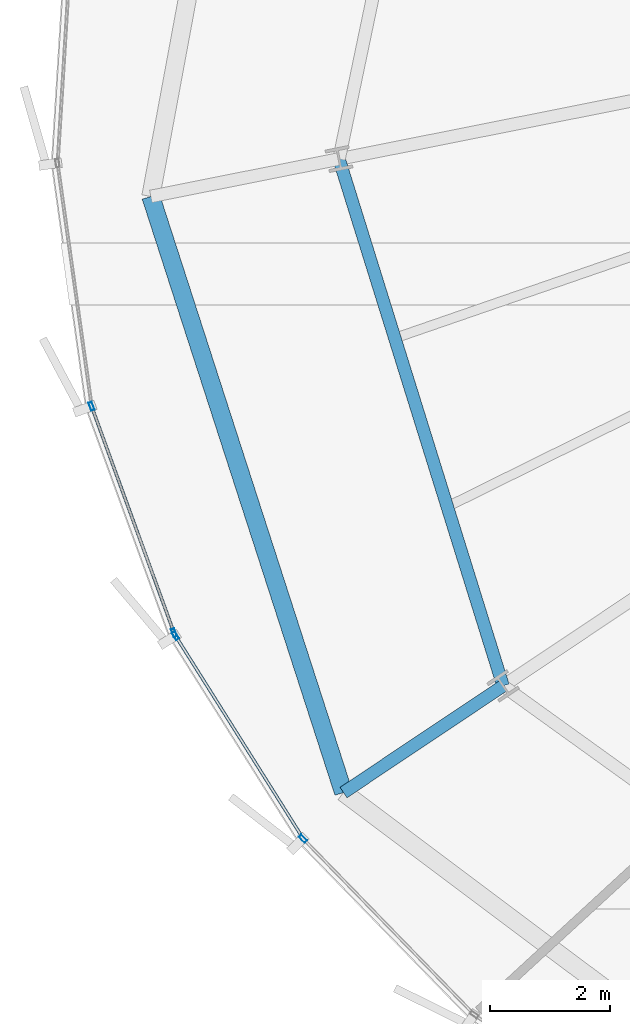
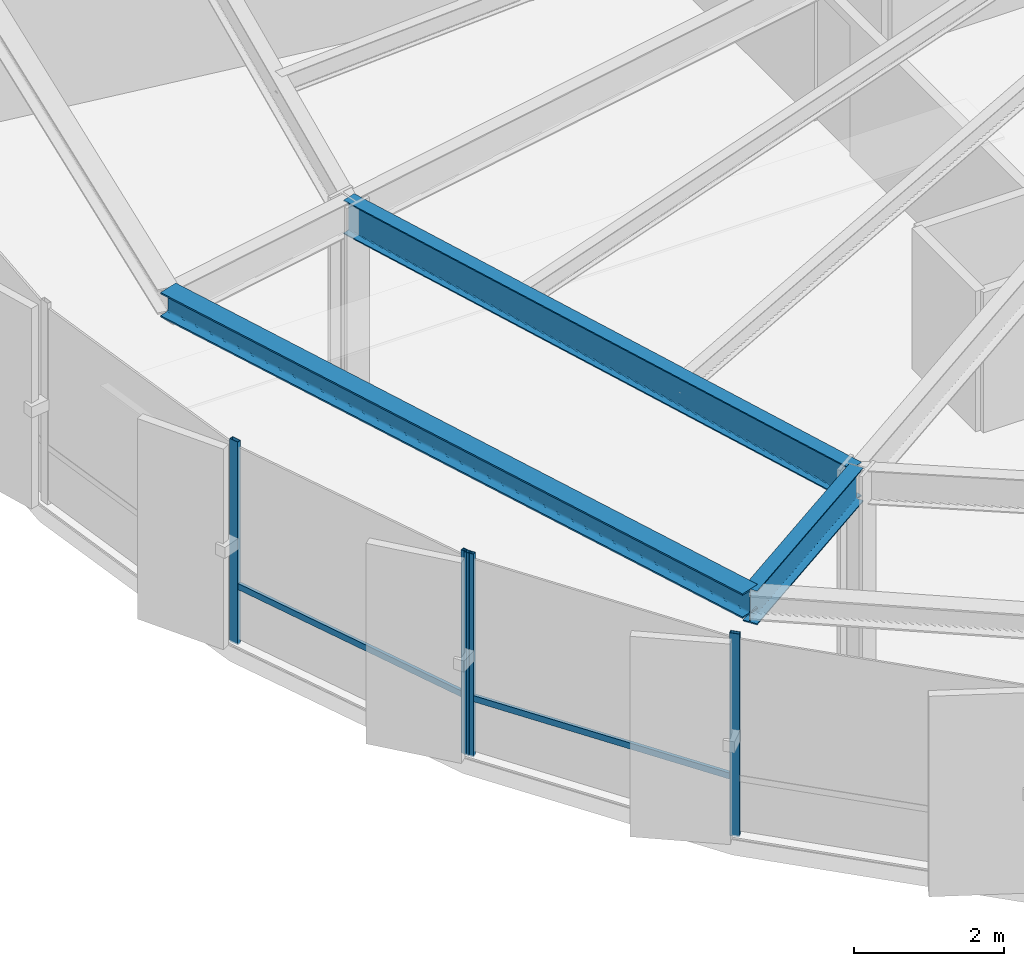
# One storey, part 3 of 35: 6 members, 3 beams, 2 elements without a shape of their own.
"""IFC4 building model written with IfcOpenShell, lengths in metres."""

import ifcopenshell
import ifcopenshell.guid

model = None  # the IFC model being written
_history = None  # IfcOwnerHistory: only IFC2X3 demands one
_inside = {}  # id of a spatial element -> (the spatial element, [elements in it])
_under = {}  # id of a project, library or spatial element -> (it, [spatial elements below it])
_declared = {}  # id of a project -> (the project, [libraries it declares])
_typed = {}  # id of a type object -> (the type object, [elements of that type])
_made_of = {}  # id of a material, layer set ... -> (it, [elements and type objects made of it])


def new_model(schema):
    """Start an empty IFC model of exactly this schema.

    Asked for "IFC4X3", IfcOpenShell would pick the latest addendum, in which some entities
    have other attributes; the version numbers below select the first issue.
    IFC2X3 requires an IfcOwnerHistory on every rooted entity: one is made here for all.
    """
    global model, _history
    if schema == "IFC4X3":
        model = ifcopenshell.file(schema_version=(4, 3, 0, 0))
    else:
        model = ifcopenshell.file(schema=schema)
    _inside.clear()
    _under.clear()
    _declared.clear()
    _typed.clear()
    _made_of.clear()
    _history = None
    if model.schema == "IFC2X3":
        org = make("IfcOrganization", Name="unknown")
        user = make(
            "IfcPersonAndOrganization",
            ThePerson=make("IfcPerson", FamilyName="unknown"),
            TheOrganization=org,
        )
        app = make(
            "IfcApplication",
            ApplicationDeveloper=org,
            Version="unknown",
            ApplicationFullName="unknown",
            ApplicationIdentifier="unknown",
        )
        _history = make(
            "IfcOwnerHistory",
            OwningUser=user,
            OwningApplication=app,
            ChangeAction="ADDED",
            CreationDate=0,
        )
    return model


def make(cls, **values):
    """One entity of the class cls with the attributes given. An attribute that is None is left unset."""
    return model.create_entity(
        cls, **{name: value for name, value in values.items() if value is not None}
    )


def rooted(cls, **values):
    """An entity with a GlobalId (a new one), such as an element, a storey or a relation."""
    return make(cls, GlobalId=ifcopenshell.guid.new(), OwnerHistory=_history, **values)


def si_unit(unit_type, name, prefix=None):
    """IfcSIUnit, for example si_unit("LENGTHUNIT", "METRE", prefix="MILLI")."""
    return make("IfcSIUnit", UnitType=unit_type, Prefix=prefix, Name=name)


def assignment(units):
    """IfcUnitAssignment: the units of a project."""
    return None if units is None else make("IfcUnitAssignment", Units=units)


def point(xyz):
    """IfcCartesianPoint."""
    return None if xyz is None else make("IfcCartesianPoint", Coordinates=xyz)


def direction(xyz):
    """IfcDirection."""
    return None if xyz is None else make("IfcDirection", DirectionRatios=xyz)


def frame(location, z_axis=None, x_axis=None):
    """IfcAxis2Placement3D, a coordinate frame: its origin and axes. An axis left out is left unset."""
    return make(
        "IfcAxis2Placement3D",
        Location=point(location),
        Axis=direction(z_axis),
        RefDirection=direction(x_axis),
    )


def frame_2d(location, x_axis=None):
    """IfcAxis2Placement2D, a coordinate frame in the plane: its origin and x axis."""
    return make(
        "IfcAxis2Placement2D", Location=point(location), RefDirection=direction(x_axis)
    )


def origin():
    """The frame at (0, 0, 0) with its axes left unset."""
    return frame((0.0, 0.0, 0.0))


def origin_2d():
    """The frame at (0, 0) in the plane with its x axis left unset."""
    return frame_2d((0.0, 0.0))


def place(relative_to, where):
    """IfcLocalPlacement: puts the frame where relative to a parent placement (None: the world)."""
    return make(
        "IfcLocalPlacement", PlacementRelTo=relative_to, RelativePlacement=where
    )


def context(
    kind, dimensions, precision=None, world=None, true_north=None, identifier=None
):
    """IfcGeometricRepresentationContext, for example the 3D "Model" context."""
    return make(
        "IfcGeometricRepresentationContext",
        ContextIdentifier=identifier,
        ContextType=kind,
        CoordinateSpaceDimension=dimensions,
        Precision=precision,
        WorldCoordinateSystem=world,
        TrueNorth=true_north,
    )


def subcontext(parent, identifier, kind, view, scale=None):
    """IfcGeometricRepresentationSubContext, for example "Body" below "Model"."""
    return make(
        "IfcGeometricRepresentationSubContext",
        ContextIdentifier=identifier,
        ContextType=kind,
        ParentContext=parent,
        TargetScale=scale,
        TargetView=view,
    )


def project(units=None, contexts=None):
    """IfcProject with its units and contexts."""
    return rooted(
        "IfcProject",
        Name="project",
        RepresentationContexts=contexts,
        UnitsInContext=assignment(units),
    )


def spatial(cls, under=None, at=None, **own):
    """A site, building, storey or space (cls), placed at a placement, below another one or the project."""
    s = rooted(cls, ObjectPlacement=at, **own)
    if under is not None:
        _under.setdefault(under.id(), (under, []))[1].append(s)
    return s


def profile(cls, at=None, kind="AREA", **sizes):
    """A parametric profile (cls). Its sizes go by their IFC names, for example OverallWidth=200.0."""
    return make(cls, ProfileType=kind, Position=at, **sizes)


def hollow_rectangle(**sizes):
    """IfcRectangleHollowProfileDef."""
    return profile("IfcRectangleHollowProfileDef", **sizes)


def i_section(**sizes):
    """IfcIShapeProfileDef."""
    return profile("IfcIShapeProfileDef", **sizes)


def extrude(swept, where, along, depth):
    """IfcExtrudedAreaSolid: the profile swept, set in the frame where, extruded along a direction by depth."""
    return make(
        "IfcExtrudedAreaSolid",
        SweptArea=swept,
        Position=where,
        ExtrudedDirection=direction(along),
        Depth=depth,
    )


def shape(context_of_items, identifier, shape_type, items):
    """IfcShapeRepresentation: the items that make up one representation, for example the "Body"."""
    return make(
        "IfcShapeRepresentation",
        ContextOfItems=context_of_items,
        RepresentationIdentifier=identifier,
        RepresentationType=shape_type,
        Items=items,
    )


def source(mapping_origin, context_of_items, identifier, shape_type, items):
    """IfcRepresentationMap: a shape defined once, which mapped items show again and again."""
    return make(
        "IfcRepresentationMap",
        MappingOrigin=mapping_origin,
        MappedRepresentation=shape(context_of_items, identifier, shape_type, items),
    )


def transform(
    local_origin,
    x_axis=None,
    y_axis=None,
    z_axis=None,
    scale=None,
    scale2=None,
    scale3=None,
    uniform=True,
):
    """IfcCartesianTransformationOperator3D, or its non-uniform kind. x_axis, y_axis, z_axis: its Axis1, 2, 3."""
    if uniform:
        return make(
            "IfcCartesianTransformationOperator3D",
            Axis1=direction(x_axis),
            Axis2=direction(y_axis),
            LocalOrigin=point(local_origin),
            Scale=scale,
            Axis3=direction(z_axis),
        )
    return make(
        "IfcCartesianTransformationOperator3DnonUniform",
        Axis1=direction(x_axis),
        Axis2=direction(y_axis),
        LocalOrigin=point(local_origin),
        Scale=scale,
        Axis3=direction(z_axis),
        Scale2=scale2,
        Scale3=scale3,
    )


def mapped(mapping_source, mapping_target):
    """IfcMappedItem: shows the shape of a source again, moved by a transform."""
    return make(
        "IfcMappedItem", MappingSource=mapping_source, MappingTarget=mapping_target
    )


def material(Name=None, Category=None):
    """IfcMaterial."""
    return make("IfcMaterial", Name=Name, Category=Category)


def layer(
    of_material, thickness, ventilated=None, Name=None, Category=None, Priority=None
):
    """IfcMaterialLayer: one layer of a wall or slab, of a material (None: an air gap)."""
    return make(
        "IfcMaterialLayer",
        Material=of_material,
        LayerThickness=thickness,
        IsVentilated=ventilated,
        Name=Name,
        Category=Category,
        Priority=Priority,
    )


def layer_set(layers, Name=None):
    """IfcMaterialLayerSet."""
    return make("IfcMaterialLayerSet", MaterialLayers=layers, LayerSetName=Name)


def material_profile(
    of_material, cross_section, Name=None, Category=None, Priority=None
):
    """IfcMaterialProfile: a cross section and its material."""
    return make(
        "IfcMaterialProfile",
        Name=Name,
        Material=of_material,
        Profile=cross_section,
        Priority=Priority,
        Category=Category,
    )


def profile_set(profiles, Name=None, composite=None):
    """IfcMaterialProfileSet."""
    return make(
        "IfcMaterialProfileSet",
        Name=Name,
        MaterialProfiles=profiles,
        CompositeProfile=composite,
    )


def made_of(thing, what):
    """Note that an element or type object is made of a material, layer set ...; save() writes the relation."""
    if what is not None:
        _made_of.setdefault(what.id(), (what, []))[1].append(thing)
    return thing


def type_object(cls, material=None, **own):
    """A type object (cls), such as IfcWallType, which elements share."""
    return made_of(rooted(cls, **own), material)


def element(
    cls,
    number,
    at=None,
    inside=None,
    cuts=None,
    type_object=None,
    material=None,
    context=None,
    identifier="Body",
    shape_type=None,
    held_by="IfcProductDefinitionShape",
    body=None,
    shapes=None,
    **own,
):
    """One element of the class cls, such as IfcWall. Its Tag is "e" and its number.

    at: its placement. inside: the storey or other place that contains it. cuts: it is an
    opening in that element (IfcRelVoidsElement). A single representation is given by context,
    identifier, shape_type and body (its items); several are given by shapes. held_by: the class
    of the entity that holds the representations. save() writes the other relations.
    """
    e = rooted(cls, Tag="e%d" % number, ObjectPlacement=at, **own)
    if body is not None:
        shapes = [shape(context, identifier, shape_type, body)]
    if shapes is not None:
        e.Representation = make(held_by, Representations=shapes)
    if inside is not None:
        _inside.setdefault(inside.id(), (inside, []))[1].append(e)
    if cuts is not None:
        rooted(
            "IfcRelVoidsElement", RelatingBuildingElement=cuts, RelatedOpeningElement=e
        )
    if type_object is not None:
        _typed.setdefault(type_object.id(), (type_object, []))[1].append(e)
    return made_of(e, material)


def aggregate(whole, parts):
    """IfcRelAggregates: a whole, such as a stair, and the parts it consists of."""
    return rooted("IfcRelAggregates", RelatingObject=whole, RelatedObjects=parts)


def save(model, path):
    """Write the relations noted so far, then the file.

    IfcRelAggregates (storeys below a building ...), IfcRelContainedInSpatialStructure (elements
    in a storey), IfcRelDefinesByType, IfcRelAssociatesMaterial and IfcRelDeclares: one each for
    every whole, place, type object, material and project.
    """
    for whole, parts in _under.values():
        aggregate(whole, parts)
    for where, things in _inside.values():
        rooted(
            "IfcRelContainedInSpatialStructure",
            RelatedElements=things,
            RelatingStructure=where,
        )
    for kind, things in _typed.values():
        rooted("IfcRelDefinesByType", RelatedObjects=things, RelatingType=kind)
    for what, things in _made_of.values():
        rooted("IfcRelAssociatesMaterial", RelatedObjects=things, RelatingMaterial=what)
    for by, libraries in _declared.values():
        rooted("IfcRelDeclares", RelatingContext=by, RelatedDefinitions=libraries)
    model.write(path)


model = new_model("IFC4")

# Units and contexts
model_context = context("Model", 3, precision=1e-05, world=origin(), true_north=direction((0.0, 1.0)))
body_context = subcontext(model_context, "Body", "Model", "MODEL_VIEW")
ifc_project = project(units=[si_unit("LENGTHUNIT", "METRE"), si_unit("AREAUNIT", "SQUARE_METRE"), si_unit("VOLUMEUNIT", "CUBIC_METRE"), si_unit("PLANEANGLEUNIT", "RADIAN"), si_unit("MASSUNIT", "GRAM", prefix="KILO"), si_unit("THERMODYNAMICTEMPERATUREUNIT", "KELVIN")], contexts=[model_context])

# Site, building, storey
site_placement = place(None, origin())
site = spatial("IfcSite", under=ifc_project, at=site_placement, CompositionType="ELEMENT")
building_placement = place(site_placement, origin())
building = spatial("IfcBuilding", under=site, at=building_placement, Name="Kethvar Cultural Tower", CompositionType="ELEMENT")
storey_placement = place(building_placement, frame((0.0, 0.0, 139.449951171875)))
storey = spatial("IfcBuildingStorey", under=building, at=storey_placement, Name="L35", CompositionType="ELEMENT", Elevation=139.449951171875)

# Beams
ifc_material_1 = material(Name="Steel S355J2", Category="steel")
ifc_material_profile_1 = material_profile(ifc_material_1, i_section(OverallWidth=0.2099609375, OverallDepth=0.550048828125, WebThickness=0.010986328125, FlangeThickness=0.01708984375, FilletRadius=0.02392578125, at=origin_2d()), Name="Steel S355J2 — IPE550")
ifc_profile_set_1 = profile_set([ifc_material_profile_1], Name="Steel S355J2 — IPE550")
beam_type_1 = type_object("IfcBeamType", Name="BM-IPE550", PredefinedType="BEAM", material=ifc_profile_set_1)
shared_shape_1 = source(origin(), body_context, "Body", "SweptSolid", [
    extrude(i_section(OverallWidth=0.2099609375, OverallDepth=0.550048828125, WebThickness=0.010986328125, FlangeThickness=0.01708984375, FilletRadius=0.02392578125, at=origin_2d()), origin(), (0.0, 0.0, 1.0), 3.199951171875),
])
beam_1_placement = place(storey_placement, frame((26.920654296875, 14.51708984375, 3.02294921875), z_axis=(-0.831462943996, -0.555580212716, 0.0), x_axis=(0.555580212716, -0.831462943996, 0.0)))
element("IfcBeam", 1, at=beam_1_placement, inside=storey, type_object=beam_type_1, Name="L35 Perimeter Cantilever Beam RC-10", PredefinedType="BEAM", context=body_context, shape_type="MappedRepresentation", body=[
    mapped(shared_shape_1, transform((0.0, 0.0, 0.0), scale=1.0)),
])
shared_shape_2 = source(origin(), body_context, "Body", "SweptSolid", [
    extrude(i_section(OverallWidth=0.2099609375, OverallDepth=0.550048828125, WebThickness=0.010986328125, FlangeThickness=0.01708984375, FilletRadius=0.02392578125, at=origin_2d()), origin(), (0.0, 0.0, 1.0), 9.20068359375),
])
beam_2_placement = place(storey_placement, frame((24.185302734375, 23.3017578125, 3.02294921875), z_axis=(0.297298800285, -0.954784490526, 0.0), x_axis=(0.954784490526, 0.297298800285, 0.0)))
element("IfcBeam", 2, at=beam_2_placement, inside=storey, type_object=beam_type_1, Name="L35 Column Ring Tie Beam CR-09", PredefinedType="BEAM", context=body_context, shape_type="MappedRepresentation", body=[
    mapped(shared_shape_2, transform((0.0, 0.0, 0.0), scale=1.0)),
])
ifc_material_profile_2 = material_profile(ifc_material_1, i_section(OverallWidth=0.300048828125, OverallDepth=0.39990234375, WebThickness=0.013427734375, FlangeThickness=0.02392578125, FilletRadius=0.027099609375, at=origin_2d()), Name="Steel S355J2 — HEB400")
ifc_profile_set_2 = profile_set([ifc_material_profile_2], Name="Steel S355J2 — HEB400")
beam_type_2 = type_object("IfcBeamType", Name="BM-SP400", PredefinedType="SPANDREL", material=ifc_profile_set_2)
shared_shape_3 = source(origin(), body_context, "Body", "SweptSolid", [
    extrude(i_section(OverallWidth=0.300048828125, OverallDepth=0.39990234375, WebThickness=0.013427734375, FlangeThickness=0.02392578125, FilletRadius=0.027099609375, at=origin_2d()), origin(), (0.0, 0.0, 1.0), 10.44482421875),
])
beam_3_placement = place(storey_placement, frame((21.046875, 22.677490234375, 3.09814453125), z_axis=(0.307631709258, -0.951505507845, 0.0), x_axis=(0.951505507845, 0.307631709258, 0.0)))
element("IfcBeam", 3, at=beam_3_placement, inside=storey, type_object=beam_type_2, Name="L35 Perimeter Spandrel Beam SP-09", PredefinedType="SPANDREL", context=body_context, shape_type="MappedRepresentation", body=[
    mapped(shared_shape_3, transform((0.0, 0.0, 0.0), scale=1.0)),
])

# Curtain wall, members
ifc_material_2 = material(Name="Aluminium 6063-T6", Category="aluminium")
ifc_layer = layer(ifc_material_2, 0.179931640625, Name="Aluminium 6063-T6", Category="aluminium")
ifc_layer_set = layer_set([ifc_layer], Name="Aluminium 6063-T6 (180 mm)")
curtain_wall_type = type_object("IfcCurtainWallType", Name="CW-SYS-04-Z34", PredefinedType="NOTDEFINED", material=ifc_layer_set)
curtain_wall_1_placement = place(storey_placement, origin())
curtain_wall_1 = element("IfcCurtainWall", 4, at=curtain_wall_1_placement, inside=storey, type_object=curtain_wall_type, Name="L35 Curtain Wall Run 03", PredefinedType="NOTDEFINED")
ifc_material_profile_3 = material_profile(ifc_material_2, hollow_rectangle(XDim=0.06005859375, YDim=0.139892578125, WallThickness=0.0048828125, at=origin_2d()), Name="Aluminium 6063-T6 — RHS140x60x5")
ifc_profile_set_3 = profile_set([ifc_material_profile_3], Name="Aluminium 6063-T6 — RHS140x60x5")
member_type_1 = type_object("IfcMemberType", Name="CW-SYS-04-Z34-MUL", PredefinedType="MULLION", material=ifc_profile_set_3)
shared_shape_4 = source(origin(), body_context, "Body", "SweptSolid", [
    extrude(hollow_rectangle(XDim=0.06005859375, YDim=0.139892578125, WallThickness=0.0048828125, at=origin_2d()), origin(), (0.0, 0.0, 1.0), 3.300048828125),
])
member_1_placement = place(storey_placement, frame((20.05859375, 19.179931640625, 0.0), z_axis=(0.0, 0.0, 1.0), x_axis=(0.939644856605, 0.342151345833, 0.0)))
member_1 = element("IfcMember", 5, at=member_1_placement, type_object=member_type_1, Name="CW-L35-R03 Mullion 6", PredefinedType="MULLION", context=body_context, shape_type="MappedRepresentation", body=[
    mapped(shared_shape_4, transform((0.0, 0.0, 0.0), scale=1.0)),
])
member_2_placement = place(storey_placement, frame((21.433837890625, 15.4033203125, 0.0), z_axis=(0.0, 0.0, 1.0), x_axis=(0.939644856605, 0.342151345833, 0.0)))
member_2 = element("IfcMember", 6, at=member_2_placement, type_object=member_type_1, Name="CW-L35-R03 Mullion 7", PredefinedType="MULLION", context=body_context, shape_type="MappedRepresentation", body=[
    mapped(shared_shape_4, transform((0.0, 0.0, 0.0), scale=1.0)),
])

curtain_wall_2_placement = place(storey_placement, origin())
curtain_wall_2 = element("IfcCurtainWall", 7, at=curtain_wall_2_placement, inside=storey, type_object=curtain_wall_type, Name="L35 Curtain Wall Run 04", PredefinedType="NOTDEFINED")
member_3_placement = place(storey_placement, frame((21.457763671875, 15.354736328125, 0.0), z_axis=(0.0, 0.0, 1.0), x_axis=(0.846267561443, 0.532758120022, 0.0)))
member_3 = element("IfcMember", 8, at=member_3_placement, type_object=member_type_1, Name="CW-L35-R04 Mullion 1", PredefinedType="MULLION", context=body_context, shape_type="MappedRepresentation", body=[
    mapped(shared_shape_4, transform((0.0, 0.0, 0.0), scale=1.0)),
])
member_4_placement = place(storey_placement, frame((23.584716796875, 11.971435546875, 0.0), z_axis=(0.0, 0.0, 1.0), x_axis=(0.716898439715, 0.697177615199, 0.0)))
member_4 = element("IfcMember", 9, at=member_4_placement, type_object=member_type_1, Name="CW-L35-R04 Mullion 2", PredefinedType="MULLION", context=body_context, shape_type="MappedRepresentation", body=[
    mapped(shared_shape_4, transform((0.0, 0.0, 0.0), scale=1.0)),
])

# Member
ifc_material_profile_4 = material_profile(ifc_material_2, hollow_rectangle(XDim=0.050048828125, YDim=0.10009765625, WallThickness=0.00390625, at=origin_2d()), Name="Aluminium 6063-T6 — RHS100x50x4")
ifc_profile_set_4 = profile_set([ifc_material_profile_4], Name="Aluminium 6063-T6 — RHS100x50x4")
member_type_2 = type_object("IfcMemberType", Name="CW-SYS-04-Z34-TRN", PredefinedType="USERDEFINED", material=ifc_profile_set_4)
shared_shape_5 = source(origin(), body_context, "Body", "SweptSolid", [
    extrude(hollow_rectangle(XDim=0.050048828125, YDim=0.10009765625, WallThickness=0.00390625, at=origin_2d()), origin(), (0.0, 0.0, 1.0), 3.971923828125),
])
member_5_placement = place(storey_placement, frame((20.073486328125, 19.139404296875, 0.949951171875), z_axis=(0.342127991333, -0.939653360313, 0.0), x_axis=(0.939653360313, 0.342127991333, 0.0)))
member_5 = element("IfcMember", 10, at=member_5_placement, type_object=member_type_2, Name="CW-L35-R03 Transom 6", ObjectType="TRANSOM", PredefinedType="USERDEFINED", context=body_context, shape_type="MappedRepresentation", body=[
    mapped(shared_shape_5, transform((0.0, 0.0, 0.0), scale=1.0)),
])

aggregate(curtain_wall_1, [member_1, member_2, member_5])

shared_shape_6 = source(origin(), body_context, "Body", "SweptSolid", [
    extrude(hollow_rectangle(XDim=0.050048828125, YDim=0.10009765625, WallThickness=0.00390625, at=origin_2d()), origin(), (0.0, 0.0, 1.0), 3.9716796875),
])
member_6_placement = place(storey_placement, frame((21.4599609375, 15.35107421875, 0.949951171875), z_axis=(0.532764358127, -0.846263634283, 0.0), x_axis=(0.846263634283, 0.532764358127, 0.0)))
member_6 = element("IfcMember", 11, at=member_6_placement, type_object=member_type_2, Name="CW-L35-R04 Transom 1", ObjectType="TRANSOM", PredefinedType="USERDEFINED", context=body_context, shape_type="MappedRepresentation", body=[
    mapped(shared_shape_6, transform((0.0, 0.0, 0.0), scale=1.0)),
])

aggregate(curtain_wall_2, [member_3, member_4, member_6])

save(model, "model.ifc")
